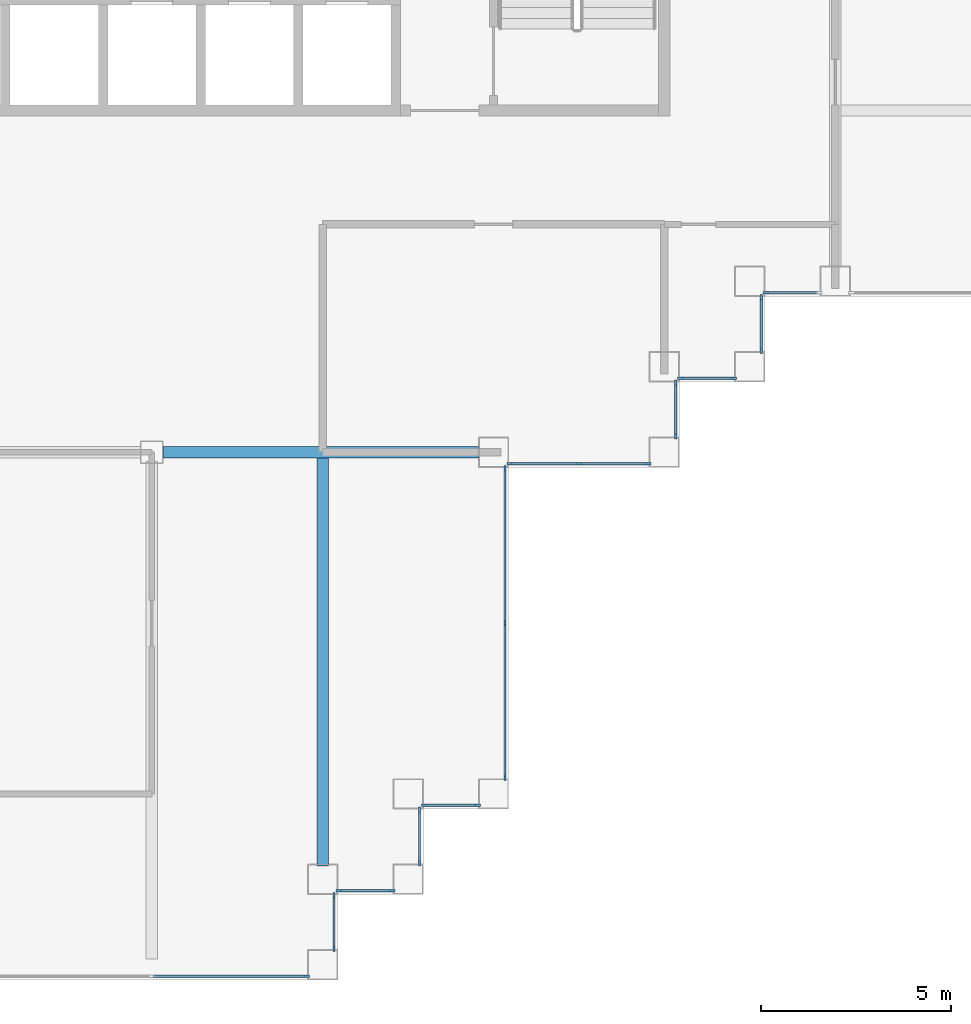
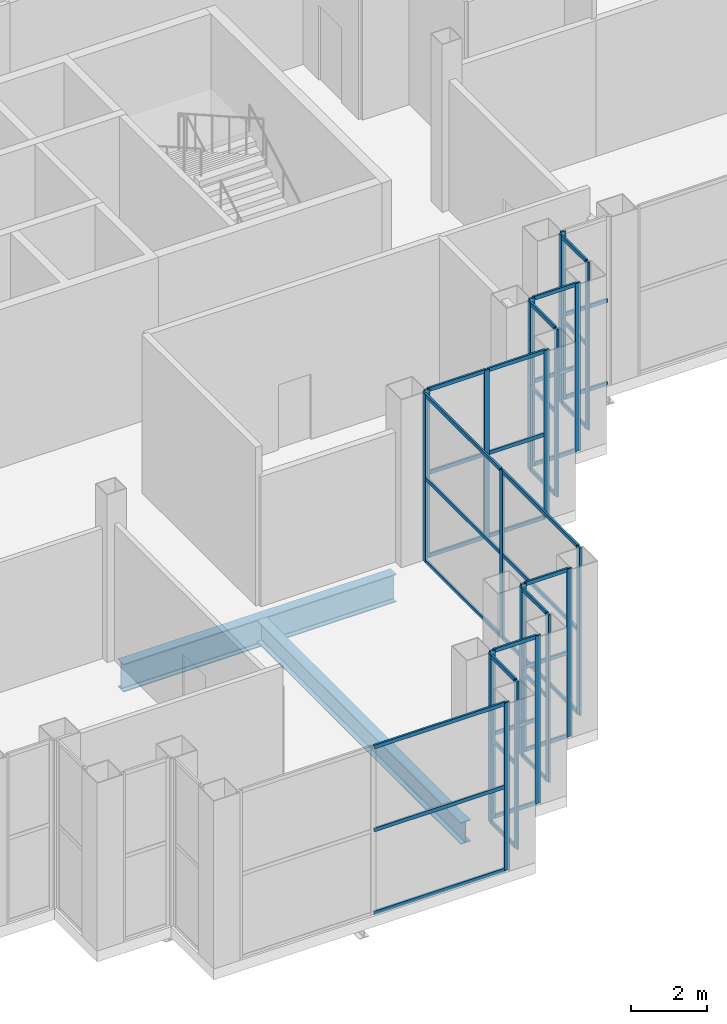
# One storey, part 5 of 18: 60 members, 2 beams, 11 elements without a shape of their own.
"""IFC4 building model written with IfcOpenShell, lengths in metres."""

from ifc_helpers import new_model, si_unit, direction, frame, origin, origin_2d, place, context, subcontext, project, spatial, rectangle, i_section, extrude, material, layer, layer_set, material_profile, profile_set, type_object, element, aggregate, save


model = new_model("IFC4")

# Units and contexts
model_context = context("Model", 3, precision=1e-05, world=origin(), true_north=direction((0.0, 1.0)))
body_context = subcontext(model_context, "Body", "Model", "MODEL_VIEW")
ifc_project = project(units=[si_unit("LENGTHUNIT", "METRE"), si_unit("AREAUNIT", "SQUARE_METRE"), si_unit("VOLUMEUNIT", "CUBIC_METRE"), si_unit("PLANEANGLEUNIT", "RADIAN"), si_unit("MASSUNIT", "GRAM", prefix="KILO")], contexts=[model_context])

# Site, building, storey
site_placement = place(None, origin())
site = spatial("IfcSite", under=ifc_project, at=site_placement, CompositionType="ELEMENT")
building_placement = place(site_placement, origin())
building = spatial("IfcBuilding", under=site, at=building_placement, Name="Caravel Reach Hotel and Residences", CompositionType="ELEMENT")
storey_placement = place(building_placement, frame((0.0, 0.0, 145.199951171875)))
storey = spatial("IfcBuildingStorey", under=building, at=storey_placement, Name="L36", CompositionType="ELEMENT", Elevation=145.199951171875)

# Beams
ifc_material_1 = material(Name="Structural steel Q355B", Category="steel")
ifc_material_profile_1 = material_profile(ifc_material_1, i_section(OverallWidth=0.300048828125, OverallDepth=0.699951171875, WebThickness=0.012939453125, FlangeThickness=0.02392578125, FilletRadius=0.01806640625, at=origin_2d()), Name="HN 700x300x13x24")
ifc_profile_set_1 = profile_set([ifc_material_profile_1], Name="Structural steel Q355B")
beam_type_1 = type_object("IfcBeamType", Name="Beam HN 700x300x13x24", PredefinedType="BEAM", material=ifc_profile_set_1)
beam_1_placement = place(storey_placement, frame((36.0, 13.35009765625, -0.699951171875), z_axis=(0.0, -1.0, 0.0), x_axis=(1.0, 0.0, 0.0)))
element("IfcBeam", 1, at=beam_1_placement, inside=storey, type_object=beam_type_1, Name="B2 HN 700x300x13x24", PredefinedType="BEAM", context=body_context, shape_type="SweptSolid", body=[
    extrude(i_section(OverallWidth=0.300048828125, OverallDepth=0.699951171875, WebThickness=0.012939453125, FlangeThickness=0.02392578125, FilletRadius=0.01806640625, at=origin_2d()), origin(), (0.0, 0.0, 1.0), 10.75),
])
ifc_material_2 = material(Name="Structural steel Q355B", Category="steel")
ifc_material_profile_2 = material_profile(ifc_material_2, i_section(OverallWidth=0.300048828125, OverallDepth=0.89990234375, WebThickness=0.01611328125, FlangeThickness=0.028076171875, FilletRadius=0.01806640625, at=origin_2d()), Name="HN 900x300x16x28")
ifc_profile_set_2 = profile_set([ifc_material_profile_2], Name="Structural steel Q355B")
beam_type_2 = type_object("IfcBeamType", Name="Beam HN 900x300x16x28", PredefinedType="BEAM", material=ifc_profile_set_2)
beam_2_placement = place(storey_placement, frame((31.800048828125, 13.5, -0.800048828125), z_axis=(1.0, 0.0, 0.0), x_axis=(0.0, 1.0, 0.0)))
element("IfcBeam", 2, at=beam_2_placement, inside=storey, type_object=beam_type_2, Name="B3 HN 900x300x16x28", PredefinedType="BEAM", context=body_context, shape_type="SweptSolid", body=[
    extrude(i_section(OverallWidth=0.300048828125, OverallDepth=0.89990234375, WebThickness=0.01611328125, FlangeThickness=0.028076171875, FilletRadius=0.01806640625, at=origin_2d()), origin(), (0.0, 0.0, 1.0), 8.300048828125),
])

# Curtain wall, member
ifc_material_3 = material(Name="Dark low-e glazing in black aluminium frame", Category="aluminium")
ifc_layer = layer(ifc_material_3, 0.199951171875)
ifc_layer_set = layer_set([ifc_layer], Name="CW2 Sky lobby glazing")
curtain_wall_type = type_object("IfcCurtainWallType", Name="CW2 Sky lobby glazing", PredefinedType="NOTDEFINED", material=ifc_layer_set)
curtain_wall_1_placement = place(storey_placement, origin())
curtain_wall_1 = element("IfcCurtainWall", 3, at=curtain_wall_1_placement, inside=storey, type_object=curtain_wall_type, Name="Sky lobby glazing b0", PredefinedType="NOTDEFINED")
ifc_material_4 = material(Name="Anodised aluminium alloy 6063-T5, black", Category="aluminium")
ifc_material_profile_3 = material_profile(ifc_material_4, rectangle(XDim=0.06005859375, YDim=0.159912109375, at=origin_2d()), Name="CW mullion 60 x 160")
ifc_profile_set_3 = profile_set([ifc_material_profile_3], Name="Anodised aluminium alloy 6063-T5, black")
member_type_1 = type_object("IfcMemberType", Name="CW mullion 60 x 160", PredefinedType="MULLION", material=ifc_profile_set_3)
member_1_placement = place(storey_placement, frame((35.570068359375, -0.300048828125, 0.0), z_axis=(0.0, 0.0, 1.0), x_axis=(0.0, 1.0, 0.0)))
member_1 = element("IfcMember", 4, at=member_1_placement, type_object=member_type_1, Name="CW2 mullion 3", PredefinedType="MULLION", context=body_context, shape_type="SweptSolid", body=[
    extrude(rectangle(XDim=0.06005859375, YDim=0.159912109375, at=origin_2d()), origin(), (0.0, 0.0, 1.0), 5.400146484375),
])

# Curtain wall, members
curtain_wall_2_placement = place(storey_placement, origin())
curtain_wall_2 = element("IfcCurtainWall", 5, at=curtain_wall_2_placement, inside=storey, type_object=curtain_wall_type, Name="Sky lobby glazing b0", PredefinedType="NOTDEFINED")
member_2_placement = place(storey_placement, frame((36.300048828125, 0.429931640625, 0.0), z_axis=(0.0, 0.0, 1.0), x_axis=(-1.0, 0.0, 0.0)))
member_2 = element("IfcMember", 6, at=member_2_placement, type_object=member_type_1, Name="CW2 mullion 1", PredefinedType="MULLION", context=body_context, shape_type="SweptSolid", body=[
    extrude(rectangle(XDim=0.06005859375, YDim=0.159912109375, at=origin_2d()), origin(), (0.0, 0.0, 1.0), 5.400146484375),
])
member_3_placement = place(storey_placement, frame((36.300048828125, 1.820068359375, 0.0), z_axis=(0.0, 0.0, 1.0), x_axis=(-1.0, 0.0, 0.0)))
member_3 = element("IfcMember", 7, at=member_3_placement, type_object=member_type_1, Name="CW2 mullion 2", PredefinedType="MULLION", context=body_context, shape_type="SweptSolid", body=[
    extrude(rectangle(XDim=0.06005859375, YDim=0.159912109375, at=origin_2d()), origin(), (0.0, 0.0, 1.0), 5.400146484375),
])

curtain_wall_3_placement = place(storey_placement, origin())
curtain_wall_3 = element("IfcCurtainWall", 8, at=curtain_wall_3_placement, inside=storey, type_object=curtain_wall_type, Name="Sky lobby glazing b0", PredefinedType="NOTDEFINED")
member_4_placement = place(storey_placement, frame((36.429931640625, 1.949951171875, 0.0), z_axis=(0.0, 0.0, 1.0), x_axis=(0.0, 1.0, 0.0)))
member_4 = element("IfcMember", 9, at=member_4_placement, type_object=member_type_1, Name="CW2 mullion 1", PredefinedType="MULLION", context=body_context, shape_type="SweptSolid", body=[
    extrude(rectangle(XDim=0.06005859375, YDim=0.159912109375, at=origin_2d()), origin(), (0.0, 0.0, 1.0), 5.400146484375),
])
member_5_placement = place(storey_placement, frame((37.820068359375, 1.949951171875, 0.0), z_axis=(0.0, 0.0, 1.0), x_axis=(0.0, 1.0, 0.0)))
member_5 = element("IfcMember", 10, at=member_5_placement, type_object=member_type_1, Name="CW2 mullion 2", PredefinedType="MULLION", context=body_context, shape_type="SweptSolid", body=[
    extrude(rectangle(XDim=0.06005859375, YDim=0.159912109375, at=origin_2d()), origin(), (0.0, 0.0, 1.0), 5.400146484375),
])

curtain_wall_4_placement = place(storey_placement, origin())
curtain_wall_4 = element("IfcCurtainWall", 11, at=curtain_wall_4_placement, inside=storey, type_object=curtain_wall_type, Name="Sky lobby glazing b0", PredefinedType="NOTDEFINED")
member_6_placement = place(storey_placement, frame((38.550048828125, 2.679931640625, 0.0), z_axis=(0.0, 0.0, 1.0), x_axis=(-1.0, 0.0, 0.0)))
member_6 = element("IfcMember", 12, at=member_6_placement, type_object=member_type_1, Name="CW2 mullion 1", PredefinedType="MULLION", context=body_context, shape_type="SweptSolid", body=[
    extrude(rectangle(XDim=0.06005859375, YDim=0.159912109375, at=origin_2d()), origin(), (0.0, 0.0, 1.0), 5.400146484375),
])
member_7_placement = place(storey_placement, frame((38.550048828125, 4.070068359375, 0.0), z_axis=(0.0, 0.0, 1.0), x_axis=(-1.0, 0.0, 0.0)))
member_7 = element("IfcMember", 13, at=member_7_placement, type_object=member_type_1, Name="CW2 mullion 2", PredefinedType="MULLION", context=body_context, shape_type="SweptSolid", body=[
    extrude(rectangle(XDim=0.06005859375, YDim=0.159912109375, at=origin_2d()), origin(), (0.0, 0.0, 1.0), 5.400146484375),
])

curtain_wall_5_placement = place(storey_placement, origin())
curtain_wall_5 = element("IfcCurtainWall", 14, at=curtain_wall_5_placement, inside=storey, type_object=curtain_wall_type, Name="Sky lobby glazing b0", PredefinedType="NOTDEFINED")
member_8_placement = place(storey_placement, frame((38.679931640625, 4.199951171875, 0.0), z_axis=(0.0, 0.0, 1.0), x_axis=(0.0, 1.0, 0.0)))
member_8 = element("IfcMember", 15, at=member_8_placement, type_object=member_type_1, Name="CW2 mullion 1", PredefinedType="MULLION", context=body_context, shape_type="SweptSolid", body=[
    extrude(rectangle(XDim=0.06005859375, YDim=0.159912109375, at=origin_2d()), origin(), (0.0, 0.0, 1.0), 5.400146484375),
])
member_9_placement = place(storey_placement, frame((40.070068359375, 4.199951171875, 0.0), z_axis=(0.0, 0.0, 1.0), x_axis=(0.0, 1.0, 0.0)))
member_9 = element("IfcMember", 16, at=member_9_placement, type_object=member_type_1, Name="CW2 mullion 2", PredefinedType="MULLION", context=body_context, shape_type="SweptSolid", body=[
    extrude(rectangle(XDim=0.06005859375, YDim=0.159912109375, at=origin_2d()), origin(), (0.0, 0.0, 1.0), 5.400146484375),
])

curtain_wall_6_placement = place(storey_placement, origin())
curtain_wall_6 = element("IfcCurtainWall", 17, at=curtain_wall_6_placement, inside=storey, type_object=curtain_wall_type, Name="Sky lobby glazing b0", PredefinedType="NOTDEFINED")
member_10_placement = place(storey_placement, frame((40.800048828125, 4.929931640625, 0.0), z_axis=(0.0, 0.0, 1.0), x_axis=(-1.0, 0.0, 0.0)))
member_10 = element("IfcMember", 18, at=member_10_placement, type_object=member_type_1, Name="CW2 mullion 1", PredefinedType="MULLION", context=body_context, shape_type="SweptSolid", body=[
    extrude(rectangle(XDim=0.06005859375, YDim=0.159912109375, at=origin_2d()), origin(), (0.0, 0.0, 1.0), 5.400146484375),
])
member_11_placement = place(storey_placement, frame((40.800048828125, 9.0, 0.0), z_axis=(0.0, 0.0, 1.0), x_axis=(-1.0, 0.0, 0.0)))
member_11 = element("IfcMember", 19, at=member_11_placement, type_object=member_type_1, Name="CW2 mullion 2", PredefinedType="MULLION", context=body_context, shape_type="SweptSolid", body=[
    extrude(rectangle(XDim=0.06005859375, YDim=0.159912109375, at=origin_2d()), origin(), (0.0, 0.0, 1.0), 5.400146484375),
])
member_12_placement = place(storey_placement, frame((40.800048828125, 13.070068359375, 0.0), z_axis=(0.0, 0.0, 1.0), x_axis=(-1.0, 0.0, 0.0)))
member_12 = element("IfcMember", 20, at=member_12_placement, type_object=member_type_1, Name="CW2 mullion 3", PredefinedType="MULLION", context=body_context, shape_type="SweptSolid", body=[
    extrude(rectangle(XDim=0.06005859375, YDim=0.159912109375, at=origin_2d()), origin(), (0.0, 0.0, 1.0), 5.400146484375),
])

curtain_wall_7_placement = place(storey_placement, origin())
curtain_wall_7 = element("IfcCurtainWall", 21, at=curtain_wall_7_placement, inside=storey, type_object=curtain_wall_type, Name="Sky lobby glazing b0", PredefinedType="NOTDEFINED")
member_13_placement = place(storey_placement, frame((40.929931640625, 13.199951171875, 0.0), z_axis=(0.0, 0.0, 1.0), x_axis=(0.0, 1.0, 0.0)))
member_13 = element("IfcMember", 22, at=member_13_placement, type_object=member_type_1, Name="CW2 mullion 1", PredefinedType="MULLION", context=body_context, shape_type="SweptSolid", body=[
    extrude(rectangle(XDim=0.06005859375, YDim=0.159912109375, at=origin_2d()), origin(), (0.0, 0.0, 1.0), 5.400146484375),
])
member_14_placement = place(storey_placement, frame((42.75, 13.199951171875, 0.0), z_axis=(0.0, 0.0, 1.0), x_axis=(0.0, 1.0, 0.0)))
member_14 = element("IfcMember", 23, at=member_14_placement, type_object=member_type_1, Name="CW2 mullion 2", PredefinedType="MULLION", context=body_context, shape_type="SweptSolid", body=[
    extrude(rectangle(XDim=0.06005859375, YDim=0.159912109375, at=origin_2d()), origin(), (0.0, 0.0, 1.0), 5.400146484375),
])
member_15_placement = place(storey_placement, frame((44.570068359375, 13.199951171875, 0.0), z_axis=(0.0, 0.0, 1.0), x_axis=(0.0, 1.0, 0.0)))
member_15 = element("IfcMember", 24, at=member_15_placement, type_object=member_type_1, Name="CW2 mullion 3", PredefinedType="MULLION", context=body_context, shape_type="SweptSolid", body=[
    extrude(rectangle(XDim=0.06005859375, YDim=0.159912109375, at=origin_2d()), origin(), (0.0, 0.0, 1.0), 5.400146484375),
])

curtain_wall_8_placement = place(storey_placement, origin())
curtain_wall_8 = element("IfcCurtainWall", 25, at=curtain_wall_8_placement, inside=storey, type_object=curtain_wall_type, Name="Sky lobby glazing b0", PredefinedType="NOTDEFINED")
member_16_placement = place(storey_placement, frame((45.300048828125, 13.929931640625, 0.0), z_axis=(0.0, 0.0, 1.0), x_axis=(-1.0, 0.0, 0.0)))
member_16 = element("IfcMember", 26, at=member_16_placement, type_object=member_type_1, Name="CW2 mullion 1", PredefinedType="MULLION", context=body_context, shape_type="SweptSolid", body=[
    extrude(rectangle(XDim=0.06005859375, YDim=0.159912109375, at=origin_2d()), origin(), (0.0, 0.0, 1.0), 5.400146484375),
])
member_17_placement = place(storey_placement, frame((45.300048828125, 15.320068359375, 0.0), z_axis=(0.0, 0.0, 1.0), x_axis=(-1.0, 0.0, 0.0)))
member_17 = element("IfcMember", 27, at=member_17_placement, type_object=member_type_1, Name="CW2 mullion 2", PredefinedType="MULLION", context=body_context, shape_type="SweptSolid", body=[
    extrude(rectangle(XDim=0.06005859375, YDim=0.159912109375, at=origin_2d()), origin(), (0.0, 0.0, 1.0), 5.400146484375),
])

curtain_wall_9_placement = place(storey_placement, origin())
curtain_wall_9 = element("IfcCurtainWall", 28, at=curtain_wall_9_placement, inside=storey, type_object=curtain_wall_type, Name="Sky lobby glazing b0", PredefinedType="NOTDEFINED")
member_18_placement = place(storey_placement, frame((45.429931640625, 15.449951171875, 0.0), z_axis=(0.0, 0.0, 1.0), x_axis=(0.0, 1.0, 0.0)))
member_18 = element("IfcMember", 29, at=member_18_placement, type_object=member_type_1, Name="CW2 mullion 1", PredefinedType="MULLION", context=body_context, shape_type="SweptSolid", body=[
    extrude(rectangle(XDim=0.06005859375, YDim=0.159912109375, at=origin_2d()), origin(), (0.0, 0.0, 1.0), 5.400146484375),
])
member_19_placement = place(storey_placement, frame((46.820068359375, 15.449951171875, 0.0), z_axis=(0.0, 0.0, 1.0), x_axis=(0.0, 1.0, 0.0)))
member_19 = element("IfcMember", 30, at=member_19_placement, type_object=member_type_1, Name="CW2 mullion 2", PredefinedType="MULLION", context=body_context, shape_type="SweptSolid", body=[
    extrude(rectangle(XDim=0.06005859375, YDim=0.159912109375, at=origin_2d()), origin(), (0.0, 0.0, 1.0), 5.400146484375),
])

curtain_wall_10_placement = place(storey_placement, origin())
curtain_wall_10 = element("IfcCurtainWall", 31, at=curtain_wall_10_placement, inside=storey, type_object=curtain_wall_type, Name="Sky lobby glazing b0", PredefinedType="NOTDEFINED")
member_20_placement = place(storey_placement, frame((47.550048828125, 16.179931640625, 0.0), z_axis=(0.0, 0.0, 1.0), x_axis=(-1.0, 0.0, 0.0)))
member_20 = element("IfcMember", 32, at=member_20_placement, type_object=member_type_1, Name="CW2 mullion 1", PredefinedType="MULLION", context=body_context, shape_type="SweptSolid", body=[
    extrude(rectangle(XDim=0.06005859375, YDim=0.159912109375, at=origin_2d()), origin(), (0.0, 0.0, 1.0), 5.400146484375),
])
member_21_placement = place(storey_placement, frame((47.550048828125, 17.570068359375, 0.0), z_axis=(0.0, 0.0, 1.0), x_axis=(-1.0, 0.0, 0.0)))
member_21 = element("IfcMember", 33, at=member_21_placement, type_object=member_type_1, Name="CW2 mullion 2", PredefinedType="MULLION", context=body_context, shape_type="SweptSolid", body=[
    extrude(rectangle(XDim=0.06005859375, YDim=0.159912109375, at=origin_2d()), origin(), (0.0, 0.0, 1.0), 5.400146484375),
])

# Curtain wall, member
curtain_wall_11_placement = place(storey_placement, origin())
curtain_wall_11 = element("IfcCurtainWall", 34, at=curtain_wall_11_placement, inside=storey, type_object=curtain_wall_type, Name="Sky lobby glazing b0", PredefinedType="NOTDEFINED")
member_22_placement = place(storey_placement, frame((47.679931640625, 17.699951171875, 0.0), z_axis=(0.0, 0.0, 1.0), x_axis=(0.0, 1.0, 0.0)))
member_22 = element("IfcMember", 35, at=member_22_placement, type_object=member_type_1, Name="CW2 mullion 1", PredefinedType="MULLION", context=body_context, shape_type="SweptSolid", body=[
    extrude(rectangle(XDim=0.06005859375, YDim=0.159912109375, at=origin_2d()), origin(), (0.0, 0.0, 1.0), 5.400146484375),
])

# Member
ifc_material_5 = material(Name="Anodised aluminium alloy 6063-T5, black", Category="aluminium")
ifc_material_profile_4 = material_profile(ifc_material_5, rectangle(XDim=0.06005859375, YDim=0.1201171875, at=origin_2d()), Name="CW transom 60 x 120")
ifc_profile_set_4 = profile_set([ifc_material_profile_4], Name="Anodised aluminium alloy 6063-T5, black")
member_type_2 = type_object("IfcMemberType", Name="CW transom 60 x 120", PredefinedType="USERDEFINED", material=ifc_profile_set_4)
member_23_placement = place(storey_placement, frame((31.530029296875, -0.300048828125, 0.030029296875), z_axis=(1.0, 0.0, 0.0), x_axis=(0.0, 1.0, 0.0)))
member_23 = element("IfcMember", 36, at=member_23_placement, type_object=member_type_2, Name="CW2 transom 2.1", ObjectType="TRANSOM", PredefinedType="USERDEFINED", context=body_context, shape_type="SweptSolid", body=[
    extrude(rectangle(XDim=0.06005859375, YDim=0.1201171875, at=origin_2d()), origin(), (0.0, 0.0, 1.0), 4.010009765625),
])

member_24_placement = place(storey_placement, frame((31.530029296875, -0.300048828125, 2.699951171875), z_axis=(1.0, 0.0, 0.0), x_axis=(0.0, 1.0, 0.0)))
member_24 = element("IfcMember", 37, at=member_24_placement, type_object=member_type_2, Name="CW2 transom 2.2", ObjectType="TRANSOM", PredefinedType="USERDEFINED", context=body_context, shape_type="SweptSolid", body=[
    extrude(rectangle(XDim=0.06005859375, YDim=0.1201171875, at=origin_2d()), origin(), (0.0, 0.0, 1.0), 4.010009765625),
])

member_25_placement = place(storey_placement, frame((31.530029296875, -0.300048828125, 5.3701171875), z_axis=(1.0, 0.0, 0.0), x_axis=(0.0, 1.0, 0.0)))
member_25 = element("IfcMember", 38, at=member_25_placement, type_object=member_type_2, Name="CW2 transom 2.3", ObjectType="TRANSOM", PredefinedType="USERDEFINED", context=body_context, shape_type="SweptSolid", body=[
    extrude(rectangle(XDim=0.06005859375, YDim=0.1201171875, at=origin_2d()), origin(), (0.0, 0.0, 1.0), 4.010009765625),
])

aggregate(curtain_wall_1, [member_1, member_23, member_24, member_25])

member_26_placement = place(storey_placement, frame((36.300048828125, 0.4599609375, 0.030029296875), z_axis=(0.0, 1.0, 0.0), x_axis=(-1.0, 0.0, 0.0)))
member_26 = element("IfcMember", 39, at=member_26_placement, type_object=member_type_2, Name="CW2 transom 1.1", ObjectType="TRANSOM", PredefinedType="USERDEFINED", context=body_context, shape_type="SweptSolid", body=[
    extrude(rectangle(XDim=0.06005859375, YDim=0.1201171875, at=origin_2d()), origin(), (0.0, 0.0, 1.0), 1.330078125),
])

member_27_placement = place(storey_placement, frame((36.300048828125, 0.4599609375, 2.699951171875), z_axis=(0.0, 1.0, 0.0), x_axis=(-1.0, 0.0, 0.0)))
member_27 = element("IfcMember", 40, at=member_27_placement, type_object=member_type_2, Name="CW2 transom 1.2", ObjectType="TRANSOM", PredefinedType="USERDEFINED", context=body_context, shape_type="SweptSolid", body=[
    extrude(rectangle(XDim=0.06005859375, YDim=0.1201171875, at=origin_2d()), origin(), (0.0, 0.0, 1.0), 1.330078125),
])

member_28_placement = place(storey_placement, frame((36.300048828125, 0.4599609375, 5.3701171875), z_axis=(0.0, 1.0, 0.0), x_axis=(-1.0, 0.0, 0.0)))
member_28 = element("IfcMember", 41, at=member_28_placement, type_object=member_type_2, Name="CW2 transom 1.3", ObjectType="TRANSOM", PredefinedType="USERDEFINED", context=body_context, shape_type="SweptSolid", body=[
    extrude(rectangle(XDim=0.06005859375, YDim=0.1201171875, at=origin_2d()), origin(), (0.0, 0.0, 1.0), 1.330078125),
])

aggregate(curtain_wall_2, [member_2, member_3, member_26, member_27, member_28])

member_29_placement = place(storey_placement, frame((36.4599609375, 1.949951171875, 0.030029296875), z_axis=(1.0, 0.0, 0.0), x_axis=(0.0, 1.0, 0.0)))
member_29 = element("IfcMember", 42, at=member_29_placement, type_object=member_type_2, Name="CW2 transom 1.1", ObjectType="TRANSOM", PredefinedType="USERDEFINED", context=body_context, shape_type="SweptSolid", body=[
    extrude(rectangle(XDim=0.06005859375, YDim=0.1201171875, at=origin_2d()), origin(), (0.0, 0.0, 1.0), 1.330078125),
])

member_30_placement = place(storey_placement, frame((36.4599609375, 1.949951171875, 2.699951171875), z_axis=(1.0, 0.0, 0.0), x_axis=(0.0, 1.0, 0.0)))
member_30 = element("IfcMember", 43, at=member_30_placement, type_object=member_type_2, Name="CW2 transom 1.2", ObjectType="TRANSOM", PredefinedType="USERDEFINED", context=body_context, shape_type="SweptSolid", body=[
    extrude(rectangle(XDim=0.06005859375, YDim=0.1201171875, at=origin_2d()), origin(), (0.0, 0.0, 1.0), 1.330078125),
])

member_31_placement = place(storey_placement, frame((36.4599609375, 1.949951171875, 5.3701171875), z_axis=(1.0, 0.0, 0.0), x_axis=(0.0, 1.0, 0.0)))
member_31 = element("IfcMember", 44, at=member_31_placement, type_object=member_type_2, Name="CW2 transom 1.3", ObjectType="TRANSOM", PredefinedType="USERDEFINED", context=body_context, shape_type="SweptSolid", body=[
    extrude(rectangle(XDim=0.06005859375, YDim=0.1201171875, at=origin_2d()), origin(), (0.0, 0.0, 1.0), 1.330078125),
])

aggregate(curtain_wall_3, [member_4, member_5, member_29, member_30, member_31])

member_32_placement = place(storey_placement, frame((38.550048828125, 2.7099609375, 0.030029296875), z_axis=(0.0, 1.0, 0.0), x_axis=(-1.0, 0.0, 0.0)))
member_32 = element("IfcMember", 45, at=member_32_placement, type_object=member_type_2, Name="CW2 transom 1.1", ObjectType="TRANSOM", PredefinedType="USERDEFINED", context=body_context, shape_type="SweptSolid", body=[
    extrude(rectangle(XDim=0.06005859375, YDim=0.1201171875, at=origin_2d()), origin(), (0.0, 0.0, 1.0), 1.330078125),
])

member_33_placement = place(storey_placement, frame((38.550048828125, 2.7099609375, 2.699951171875), z_axis=(0.0, 1.0, 0.0), x_axis=(-1.0, 0.0, 0.0)))
member_33 = element("IfcMember", 46, at=member_33_placement, type_object=member_type_2, Name="CW2 transom 1.2", ObjectType="TRANSOM", PredefinedType="USERDEFINED", context=body_context, shape_type="SweptSolid", body=[
    extrude(rectangle(XDim=0.06005859375, YDim=0.1201171875, at=origin_2d()), origin(), (0.0, 0.0, 1.0), 1.330078125),
])

member_34_placement = place(storey_placement, frame((38.550048828125, 2.7099609375, 5.3701171875), z_axis=(0.0, 1.0, 0.0), x_axis=(-1.0, 0.0, 0.0)))
member_34 = element("IfcMember", 47, at=member_34_placement, type_object=member_type_2, Name="CW2 transom 1.3", ObjectType="TRANSOM", PredefinedType="USERDEFINED", context=body_context, shape_type="SweptSolid", body=[
    extrude(rectangle(XDim=0.06005859375, YDim=0.1201171875, at=origin_2d()), origin(), (0.0, 0.0, 1.0), 1.330078125),
])

aggregate(curtain_wall_4, [member_6, member_7, member_32, member_33, member_34])

member_35_placement = place(storey_placement, frame((38.7099609375, 4.199951171875, 0.030029296875), z_axis=(1.0, 0.0, 0.0), x_axis=(0.0, 1.0, 0.0)))
member_35 = element("IfcMember", 48, at=member_35_placement, type_object=member_type_2, Name="CW2 transom 1.1", ObjectType="TRANSOM", PredefinedType="USERDEFINED", context=body_context, shape_type="SweptSolid", body=[
    extrude(rectangle(XDim=0.06005859375, YDim=0.1201171875, at=origin_2d()), origin(), (0.0, 0.0, 1.0), 1.330078125),
])

member_36_placement = place(storey_placement, frame((38.7099609375, 4.199951171875, 2.699951171875), z_axis=(1.0, 0.0, 0.0), x_axis=(0.0, 1.0, 0.0)))
member_36 = element("IfcMember", 49, at=member_36_placement, type_object=member_type_2, Name="CW2 transom 1.2", ObjectType="TRANSOM", PredefinedType="USERDEFINED", context=body_context, shape_type="SweptSolid", body=[
    extrude(rectangle(XDim=0.06005859375, YDim=0.1201171875, at=origin_2d()), origin(), (0.0, 0.0, 1.0), 1.330078125),
])

member_37_placement = place(storey_placement, frame((38.7099609375, 4.199951171875, 5.3701171875), z_axis=(1.0, 0.0, 0.0), x_axis=(0.0, 1.0, 0.0)))
member_37 = element("IfcMember", 50, at=member_37_placement, type_object=member_type_2, Name="CW2 transom 1.3", ObjectType="TRANSOM", PredefinedType="USERDEFINED", context=body_context, shape_type="SweptSolid", body=[
    extrude(rectangle(XDim=0.06005859375, YDim=0.1201171875, at=origin_2d()), origin(), (0.0, 0.0, 1.0), 1.330078125),
])

aggregate(curtain_wall_5, [member_8, member_9, member_35, member_36, member_37])

member_38_placement = place(storey_placement, frame((40.800048828125, 4.9599609375, 0.030029296875), z_axis=(0.0, 1.0, 0.0), x_axis=(-1.0, 0.0, 0.0)))
member_38 = element("IfcMember", 51, at=member_38_placement, type_object=member_type_2, Name="CW2 transom 1.1", ObjectType="TRANSOM", PredefinedType="USERDEFINED", context=body_context, shape_type="SweptSolid", body=[
    extrude(rectangle(XDim=0.06005859375, YDim=0.1201171875, at=origin_2d()), origin(), (0.0, 0.0, 1.0), 4.010009765625),
])

member_39_placement = place(storey_placement, frame((40.800048828125, 4.9599609375, 2.699951171875), z_axis=(0.0, 1.0, 0.0), x_axis=(-1.0, 0.0, 0.0)))
member_39 = element("IfcMember", 52, at=member_39_placement, type_object=member_type_2, Name="CW2 transom 1.2", ObjectType="TRANSOM", PredefinedType="USERDEFINED", context=body_context, shape_type="SweptSolid", body=[
    extrude(rectangle(XDim=0.06005859375, YDim=0.1201171875, at=origin_2d()), origin(), (0.0, 0.0, 1.0), 4.010009765625),
])

member_40_placement = place(storey_placement, frame((40.800048828125, 4.9599609375, 5.3701171875), z_axis=(0.0, 1.0, 0.0), x_axis=(-1.0, 0.0, 0.0)))
member_40 = element("IfcMember", 53, at=member_40_placement, type_object=member_type_2, Name="CW2 transom 1.3", ObjectType="TRANSOM", PredefinedType="USERDEFINED", context=body_context, shape_type="SweptSolid", body=[
    extrude(rectangle(XDim=0.06005859375, YDim=0.1201171875, at=origin_2d()), origin(), (0.0, 0.0, 1.0), 4.010009765625),
])

member_41_placement = place(storey_placement, frame((40.800048828125, 9.030029296875, 0.030029296875), z_axis=(0.0, 1.0, 0.0), x_axis=(-1.0, 0.0, 0.0)))
member_41 = element("IfcMember", 54, at=member_41_placement, type_object=member_type_2, Name="CW2 transom 2.1", ObjectType="TRANSOM", PredefinedType="USERDEFINED", context=body_context, shape_type="SweptSolid", body=[
    extrude(rectangle(XDim=0.06005859375, YDim=0.1201171875, at=origin_2d()), origin(), (0.0, 0.0, 1.0), 4.010009765625),
])

member_42_placement = place(storey_placement, frame((40.800048828125, 9.030029296875, 2.699951171875), z_axis=(0.0, 1.0, 0.0), x_axis=(-1.0, 0.0, 0.0)))
member_42 = element("IfcMember", 55, at=member_42_placement, type_object=member_type_2, Name="CW2 transom 2.2", ObjectType="TRANSOM", PredefinedType="USERDEFINED", context=body_context, shape_type="SweptSolid", body=[
    extrude(rectangle(XDim=0.06005859375, YDim=0.1201171875, at=origin_2d()), origin(), (0.0, 0.0, 1.0), 4.010009765625),
])

member_43_placement = place(storey_placement, frame((40.800048828125, 9.030029296875, 5.3701171875), z_axis=(0.0, 1.0, 0.0), x_axis=(-1.0, 0.0, 0.0)))
member_43 = element("IfcMember", 56, at=member_43_placement, type_object=member_type_2, Name="CW2 transom 2.3", ObjectType="TRANSOM", PredefinedType="USERDEFINED", context=body_context, shape_type="SweptSolid", body=[
    extrude(rectangle(XDim=0.06005859375, YDim=0.1201171875, at=origin_2d()), origin(), (0.0, 0.0, 1.0), 4.010009765625),
])

aggregate(curtain_wall_6, [member_10, member_11, member_12, member_38, member_39, member_40, member_41, member_42, member_43])

member_44_placement = place(storey_placement, frame((40.9599609375, 13.199951171875, 0.030029296875), z_axis=(1.0, 0.0, 0.0), x_axis=(0.0, 1.0, 0.0)))
member_44 = element("IfcMember", 57, at=member_44_placement, type_object=member_type_2, Name="CW2 transom 1.1", ObjectType="TRANSOM", PredefinedType="USERDEFINED", context=body_context, shape_type="SweptSolid", body=[
    extrude(rectangle(XDim=0.06005859375, YDim=0.1201171875, at=origin_2d()), origin(), (0.0, 0.0, 1.0), 1.760009765625),
])

member_45_placement = place(storey_placement, frame((40.9599609375, 13.199951171875, 2.699951171875), z_axis=(1.0, 0.0, 0.0), x_axis=(0.0, 1.0, 0.0)))
member_45 = element("IfcMember", 58, at=member_45_placement, type_object=member_type_2, Name="CW2 transom 1.2", ObjectType="TRANSOM", PredefinedType="USERDEFINED", context=body_context, shape_type="SweptSolid", body=[
    extrude(rectangle(XDim=0.06005859375, YDim=0.1201171875, at=origin_2d()), origin(), (0.0, 0.0, 1.0), 1.760009765625),
])

member_46_placement = place(storey_placement, frame((40.9599609375, 13.199951171875, 5.3701171875), z_axis=(1.0, 0.0, 0.0), x_axis=(0.0, 1.0, 0.0)))
member_46 = element("IfcMember", 59, at=member_46_placement, type_object=member_type_2, Name="CW2 transom 1.3", ObjectType="TRANSOM", PredefinedType="USERDEFINED", context=body_context, shape_type="SweptSolid", body=[
    extrude(rectangle(XDim=0.06005859375, YDim=0.1201171875, at=origin_2d()), origin(), (0.0, 0.0, 1.0), 1.760009765625),
])

member_47_placement = place(storey_placement, frame((42.780029296875, 13.199951171875, 0.030029296875), z_axis=(1.0, 0.0, 0.0), x_axis=(0.0, 1.0, 0.0)))
member_47 = element("IfcMember", 60, at=member_47_placement, type_object=member_type_2, Name="CW2 transom 2.1", ObjectType="TRANSOM", PredefinedType="USERDEFINED", context=body_context, shape_type="SweptSolid", body=[
    extrude(rectangle(XDim=0.06005859375, YDim=0.1201171875, at=origin_2d()), origin(), (0.0, 0.0, 1.0), 1.760009765625),
])

member_48_placement = place(storey_placement, frame((42.780029296875, 13.199951171875, 2.699951171875), z_axis=(1.0, 0.0, 0.0), x_axis=(0.0, 1.0, 0.0)))
member_48 = element("IfcMember", 61, at=member_48_placement, type_object=member_type_2, Name="CW2 transom 2.2", ObjectType="TRANSOM", PredefinedType="USERDEFINED", context=body_context, shape_type="SweptSolid", body=[
    extrude(rectangle(XDim=0.06005859375, YDim=0.1201171875, at=origin_2d()), origin(), (0.0, 0.0, 1.0), 1.760009765625),
])

member_49_placement = place(storey_placement, frame((42.780029296875, 13.199951171875, 5.3701171875), z_axis=(1.0, 0.0, 0.0), x_axis=(0.0, 1.0, 0.0)))
member_49 = element("IfcMember", 62, at=member_49_placement, type_object=member_type_2, Name="CW2 transom 2.3", ObjectType="TRANSOM", PredefinedType="USERDEFINED", context=body_context, shape_type="SweptSolid", body=[
    extrude(rectangle(XDim=0.06005859375, YDim=0.1201171875, at=origin_2d()), origin(), (0.0, 0.0, 1.0), 1.760009765625),
])

aggregate(curtain_wall_7, [member_13, member_14, member_15, member_44, member_45, member_46, member_47, member_48, member_49])

member_50_placement = place(storey_placement, frame((45.300048828125, 13.9599609375, 0.030029296875), z_axis=(0.0, 1.0, 0.0), x_axis=(-1.0, 0.0, 0.0)))
member_50 = element("IfcMember", 63, at=member_50_placement, type_object=member_type_2, Name="CW2 transom 1.1", ObjectType="TRANSOM", PredefinedType="USERDEFINED", context=body_context, shape_type="SweptSolid", body=[
    extrude(rectangle(XDim=0.06005859375, YDim=0.1201171875, at=origin_2d()), origin(), (0.0, 0.0, 1.0), 1.330078125),
])

member_51_placement = place(storey_placement, frame((45.300048828125, 13.9599609375, 2.699951171875), z_axis=(0.0, 1.0, 0.0), x_axis=(-1.0, 0.0, 0.0)))
member_51 = element("IfcMember", 64, at=member_51_placement, type_object=member_type_2, Name="CW2 transom 1.2", ObjectType="TRANSOM", PredefinedType="USERDEFINED", context=body_context, shape_type="SweptSolid", body=[
    extrude(rectangle(XDim=0.06005859375, YDim=0.1201171875, at=origin_2d()), origin(), (0.0, 0.0, 1.0), 1.330078125),
])

member_52_placement = place(storey_placement, frame((45.300048828125, 13.9599609375, 5.3701171875), z_axis=(0.0, 1.0, 0.0), x_axis=(-1.0, 0.0, 0.0)))
member_52 = element("IfcMember", 65, at=member_52_placement, type_object=member_type_2, Name="CW2 transom 1.3", ObjectType="TRANSOM", PredefinedType="USERDEFINED", context=body_context, shape_type="SweptSolid", body=[
    extrude(rectangle(XDim=0.06005859375, YDim=0.1201171875, at=origin_2d()), origin(), (0.0, 0.0, 1.0), 1.330078125),
])

aggregate(curtain_wall_8, [member_16, member_17, member_50, member_51, member_52])

member_53_placement = place(storey_placement, frame((45.4599609375, 15.449951171875, 0.030029296875), z_axis=(1.0, 0.0, 0.0), x_axis=(0.0, 1.0, 0.0)))
member_53 = element("IfcMember", 66, at=member_53_placement, type_object=member_type_2, Name="CW2 transom 1.1", ObjectType="TRANSOM", PredefinedType="USERDEFINED", context=body_context, shape_type="SweptSolid", body=[
    extrude(rectangle(XDim=0.06005859375, YDim=0.1201171875, at=origin_2d()), origin(), (0.0, 0.0, 1.0), 1.330078125),
])

member_54_placement = place(storey_placement, frame((45.4599609375, 15.449951171875, 2.699951171875), z_axis=(1.0, 0.0, 0.0), x_axis=(0.0, 1.0, 0.0)))
member_54 = element("IfcMember", 67, at=member_54_placement, type_object=member_type_2, Name="CW2 transom 1.2", ObjectType="TRANSOM", PredefinedType="USERDEFINED", context=body_context, shape_type="SweptSolid", body=[
    extrude(rectangle(XDim=0.06005859375, YDim=0.1201171875, at=origin_2d()), origin(), (0.0, 0.0, 1.0), 1.330078125),
])

member_55_placement = place(storey_placement, frame((45.4599609375, 15.449951171875, 5.3701171875), z_axis=(1.0, 0.0, 0.0), x_axis=(0.0, 1.0, 0.0)))
member_55 = element("IfcMember", 68, at=member_55_placement, type_object=member_type_2, Name="CW2 transom 1.3", ObjectType="TRANSOM", PredefinedType="USERDEFINED", context=body_context, shape_type="SweptSolid", body=[
    extrude(rectangle(XDim=0.06005859375, YDim=0.1201171875, at=origin_2d()), origin(), (0.0, 0.0, 1.0), 1.330078125),
])

aggregate(curtain_wall_9, [member_18, member_19, member_53, member_54, member_55])

member_56_placement = place(storey_placement, frame((47.550048828125, 16.2099609375, 0.030029296875), z_axis=(0.0, 1.0, 0.0), x_axis=(-1.0, 0.0, 0.0)))
member_56 = element("IfcMember", 69, at=member_56_placement, type_object=member_type_2, Name="CW2 transom 1.1", ObjectType="TRANSOM", PredefinedType="USERDEFINED", context=body_context, shape_type="SweptSolid", body=[
    extrude(rectangle(XDim=0.06005859375, YDim=0.1201171875, at=origin_2d()), origin(), (0.0, 0.0, 1.0), 1.330078125),
])

member_57_placement = place(storey_placement, frame((47.550048828125, 16.2099609375, 2.699951171875), z_axis=(0.0, 1.0, 0.0), x_axis=(-1.0, 0.0, 0.0)))
member_57 = element("IfcMember", 70, at=member_57_placement, type_object=member_type_2, Name="CW2 transom 1.2", ObjectType="TRANSOM", PredefinedType="USERDEFINED", context=body_context, shape_type="SweptSolid", body=[
    extrude(rectangle(XDim=0.06005859375, YDim=0.1201171875, at=origin_2d()), origin(), (0.0, 0.0, 1.0), 1.330078125),
])

member_58_placement = place(storey_placement, frame((47.550048828125, 16.2099609375, 5.3701171875), z_axis=(0.0, 1.0, 0.0), x_axis=(-1.0, 0.0, 0.0)))
member_58 = element("IfcMember", 71, at=member_58_placement, type_object=member_type_2, Name="CW2 transom 1.3", ObjectType="TRANSOM", PredefinedType="USERDEFINED", context=body_context, shape_type="SweptSolid", body=[
    extrude(rectangle(XDim=0.06005859375, YDim=0.1201171875, at=origin_2d()), origin(), (0.0, 0.0, 1.0), 1.330078125),
])

aggregate(curtain_wall_10, [member_20, member_21, member_56, member_57, member_58])

member_59_placement = place(storey_placement, frame((47.7099609375, 17.699951171875, 0.030029296875), z_axis=(1.0, 0.0, 0.0), x_axis=(0.0, 1.0, 0.0)))
member_59 = element("IfcMember", 72, at=member_59_placement, type_object=member_type_2, Name="CW2 transom 1.1", ObjectType="TRANSOM", PredefinedType="USERDEFINED", context=body_context, shape_type="SweptSolid", body=[
    extrude(rectangle(XDim=0.06005859375, YDim=0.1201171875, at=origin_2d()), origin(), (0.0, 0.0, 1.0), 1.330078125),
])

member_60_placement = place(storey_placement, frame((47.7099609375, 17.699951171875, 2.699951171875), z_axis=(1.0, 0.0, 0.0), x_axis=(0.0, 1.0, 0.0)))
member_60 = element("IfcMember", 73, at=member_60_placement, type_object=member_type_2, Name="CW2 transom 1.2", ObjectType="TRANSOM", PredefinedType="USERDEFINED", context=body_context, shape_type="SweptSolid", body=[
    extrude(rectangle(XDim=0.06005859375, YDim=0.1201171875, at=origin_2d()), origin(), (0.0, 0.0, 1.0), 1.330078125),
])

aggregate(curtain_wall_11, [member_22, member_59, member_60])

save(model, "model.ifc")
